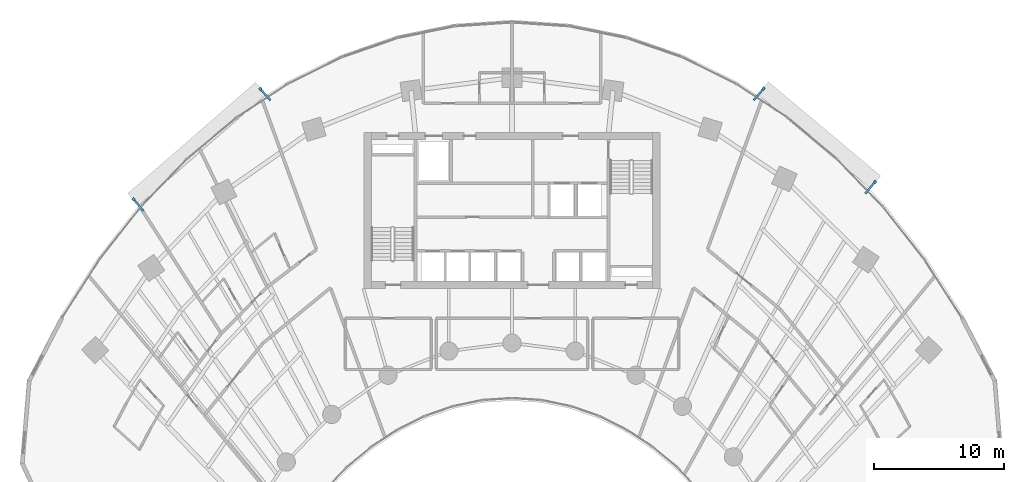
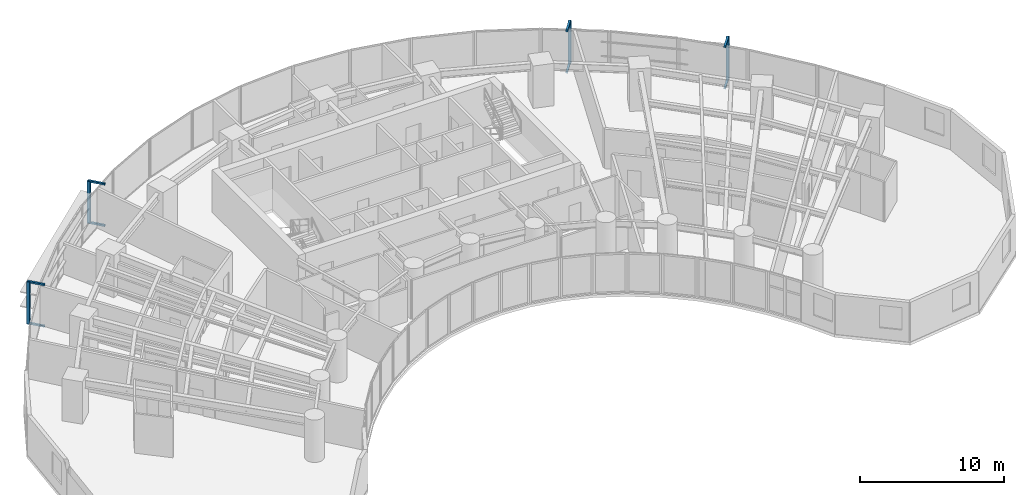
# One storey, part 15 of 17: 12 discrete accessories.
"""IFC4 building model written with IfcOpenShell, lengths in metres."""

from ifc_helpers import new_model, si_unit, direction, frame, origin, origin_2d, place, context, subcontext, project, spatial, rectangle, extrude, source, transform, mapped, material, type_object, type_shapes, element, save


model = new_model("IFC4")

# Units and contexts
model_context = context("Model", 3, precision=1e-05, world=origin(), true_north=direction((0.0, 1.0)))
body_context = subcontext(model_context, "Body", "Model", "MODEL_VIEW")
ifc_project = project(units=[si_unit("LENGTHUNIT", "METRE"), si_unit("AREAUNIT", "SQUARE_METRE"), si_unit("VOLUMEUNIT", "CUBIC_METRE"), si_unit("PLANEANGLEUNIT", "RADIAN"), si_unit("MASSUNIT", "GRAM", prefix="KILO")], contexts=[model_context])

# Site, building, storey
site_placement = place(None, origin())
site = spatial("IfcSite", under=ifc_project, at=site_placement, CompositionType="ELEMENT")
building_placement = place(site_placement, origin())
building = spatial("IfcBuilding", under=site, at=building_placement, Name="Breltana Convention Tower", CompositionType="ELEMENT")
storey_placement = place(building_placement, frame((0.0, 0.0, 67.800048828125)))
storey = spatial("IfcBuildingStorey", under=building, at=storey_placement, Name="L15", CompositionType="ELEMENT", Elevation=67.800048828125)

# Discrete accessories
ifc_material = material(Name="Steel S355", Category="steel")
discrete_accessory_type_1 = type_object("IfcDiscreteAccessoryType", Name="ACC-DSF-BRACKET-150", PredefinedType="BRACKET", material=ifc_material)
shared_shape_1 = source(origin(), body_context, "Body", "SweptSolid", [
    extrude(rectangle(XDim=1.239990234375, YDim=0.14990234375, at=origin_2d()), origin(), (0.0, 0.0, 1.0), 0.139892578125),
])
type_shapes(discrete_accessory_type_1, [shared_shape_1])
for number, where, z_axis, x_axis, name in (
    (1, (19.310791015625, 66.643798828125, -0.16015625), (0.0, 0.0, 1.0), (-0.656456838663, 0.754363585397, 0.0), "L15 double-skin slab stand-off bracket 1.1B"),
    (2, (19.310791015625, 66.643798828125, 3.35986328125), (0.0, 0.0, 1.0), (-0.656456838663, 0.754363585397, 0.0), "L15 double-skin slab stand-off bracket 1.1T"),
    (3, (29.052978515625, 75.121337890625, -0.16015625), (0.0, 0.0, 1.0), (-0.656456838663, 0.754363585397, 0.0), "L15 double-skin slab stand-off bracket 1.2B"),
    (4, (29.052978515625, 75.121337890625, 3.35986328125), (0.0, 0.0, 1.0), (-0.656456838663, 0.754363585397, 0.0), "L15 double-skin slab stand-off bracket 1.2T"),
    (5, (66.954833984375, 75.1435546875, -0.16015625), (0.0, 0.0, 1.0), (0.641990162706, 0.76671287389, 0.0), "L15 double-skin slab stand-off bracket 2.1B"),
    (6, (66.954833984375, 75.1435546875, 3.35986328125), (0.0, 0.0, 1.0), (0.641990162706, 0.76671287389, 0.0), "L15 double-skin slab stand-off bracket 2.1T"),
    (7, (75.516357421875, 67.974853515625, -0.16015625), (0.0, 0.0, 1.0), (0.641990162706, 0.76671287389, 0.0), "L15 double-skin slab stand-off bracket 2.2B"),
    (8, (75.516357421875, 67.974853515625, 3.35986328125), (0.0, 0.0, 1.0), (0.641990162706, 0.76671287389, 0.0), "L15 double-skin slab stand-off bracket 2.2T"),
):
    element("IfcDiscreteAccessory", number, at=place(storey_placement, frame(where, z_axis=z_axis, x_axis=x_axis)), inside=storey, type_object=discrete_accessory_type_1, Name=name, PredefinedType="BRACKET", context=body_context, shape_type="MappedRepresentation", body=[
        mapped(shared_shape_1, transform((0.0, 0.0, 0.0), scale=1.0)),
    ])
discrete_accessory_type_2 = type_object("IfcDiscreteAccessoryType", Name="ACC-DSF-CARRIER-150", PredefinedType="BRACKET", material=ifc_material)
shared_shape_2 = source(origin(), body_context, "Body", "SweptSolid", [
    extrude(rectangle(XDim=0.219970703125, YDim=0.219970703125, at=origin_2d()), origin(), (0.0, 0.0, 1.0), 3.580078125),
])
for number, where, z_axis, x_axis, name in (
    (9, (18.943115234375, 67.066162109375, -0.1201171875), (0.0, 0.0, 1.0), (-0.656456838663, 0.754363585397, 0.0), "L15 double-skin outer vertical carrier 1.1"),
    (10, (28.685302734375, 75.5439453125, -0.1201171875), (0.0, 0.0, 1.0), (-0.656456838663, 0.754363585397, 0.0), "L15 double-skin outer vertical carrier 1.2"),
    (11, (67.314453125, 75.57275390625, -0.1201171875), (0.0, 0.0, 1.0), (0.641990162706, 0.76671287389, 0.0), "L15 double-skin outer vertical carrier 2.1"),
    (12, (75.875732421875, 68.404052734375, -0.1201171875), (0.0, 0.0, 1.0), (0.641990162706, 0.76671287389, 0.0), "L15 double-skin outer vertical carrier 2.2"),
):
    element("IfcDiscreteAccessory", number, at=place(storey_placement, frame(where, z_axis=z_axis, x_axis=x_axis)), inside=storey, type_object=discrete_accessory_type_2, Name=name, PredefinedType="BRACKET", context=body_context, shape_type="MappedRepresentation", body=[
        mapped(shared_shape_2, transform((0.0, 0.0, 0.0), scale=1.0)),
    ])

save(model, "model.ifc")
